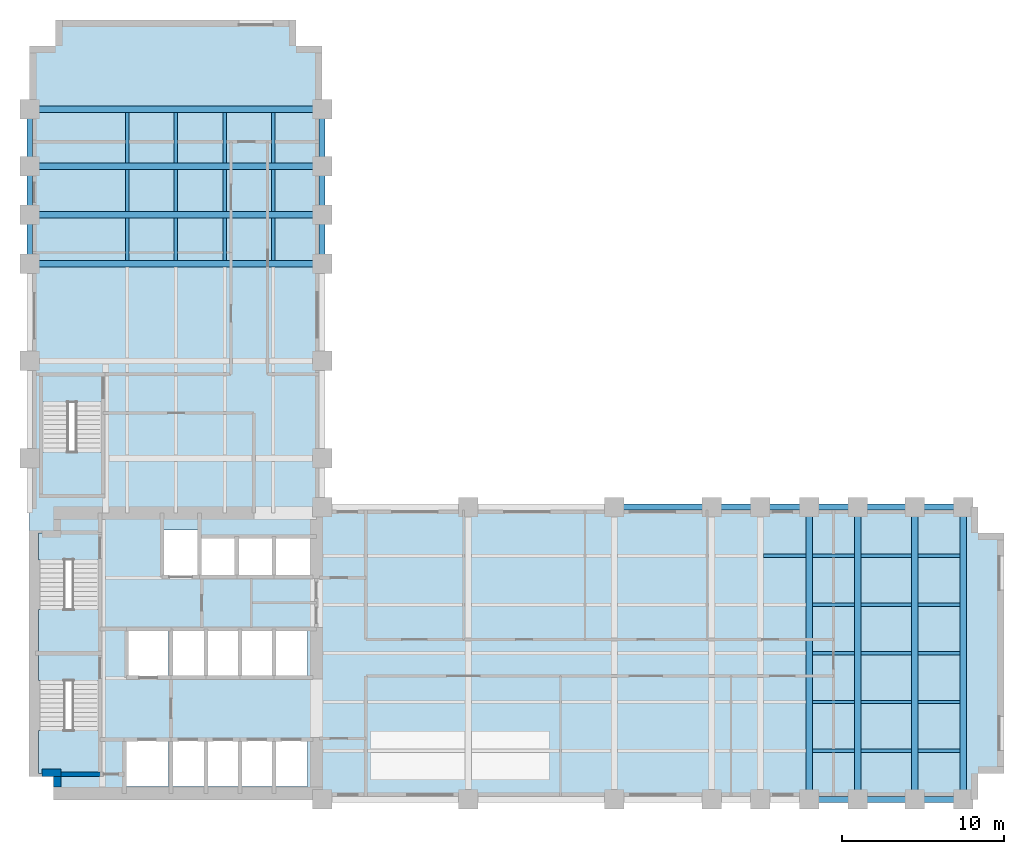
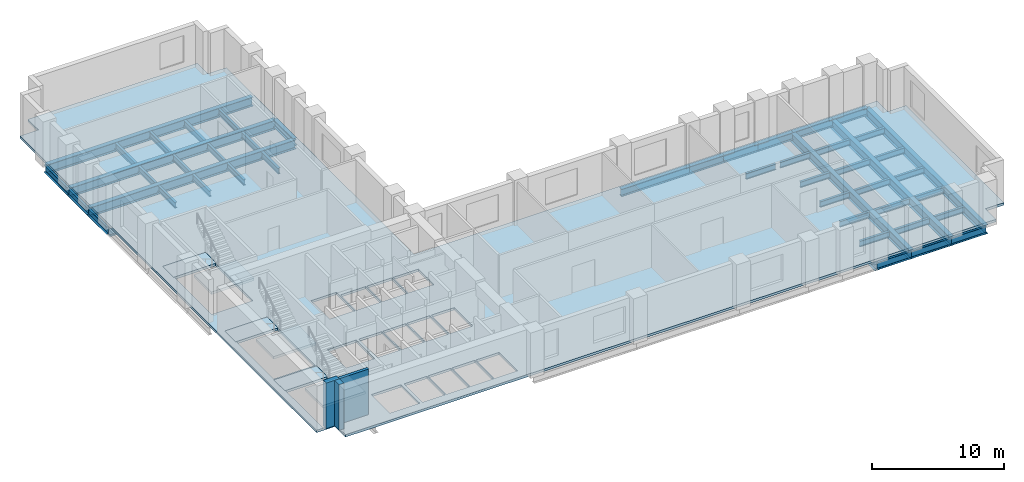
# One storey, part 2 of 7: 51 beams, 7 slabs, 3 walls, 3 elements without a shape of their own.
"""IFC4 building model written with IfcOpenShell, lengths in metres."""

from ifc_helpers import new_model, si_unit, direction, frame, frame_2d, origin, origin_2d, place, context, subcontext, project, spatial, polyline, rectangle, i_section, outline, extrude, material, layer, layer_set, material_profile, profile_set, type_object, element, aggregate, save


model = new_model("IFC4")

# Units and contexts
model_context = context("Model", 3, precision=1e-05, world=origin(), true_north=direction((0.0, 1.0)))
body_context = subcontext(model_context, "Body", "Model", "MODEL_VIEW")
ifc_project = project(units=[si_unit("LENGTHUNIT", "METRE"), si_unit("AREAUNIT", "SQUARE_METRE"), si_unit("VOLUMEUNIT", "CUBIC_METRE"), si_unit("PLANEANGLEUNIT", "RADIAN"), si_unit("MASSUNIT", "GRAM", prefix="KILO")], contexts=[model_context])

# Site, building, storey
site_placement = place(None, origin())
site = spatial("IfcSite", under=ifc_project, at=site_placement, CompositionType="ELEMENT")
building_placement = place(site_placement, origin())
building = spatial("IfcBuilding", under=site, at=building_placement, Name="Mawjdan Bourse Tower", CompositionType="ELEMENT")
storey_placement = place(building_placement, frame((0.0, 0.0, 59.39990234375)))
storey = spatial("IfcBuildingStorey", under=building, at=storey_placement, Name="L13", CompositionType="ELEMENT", Elevation=59.39990234375)

# Beams
ifc_material_1 = material(Name="Structural Steel S355", Category="steel")
ifc_material_profile_1 = material_profile(ifc_material_1, i_section(OverallWidth=0.39892578125, OverallDepth=0.85595703125, WebThickness=0.018310546875, FlangeThickness=0.029296875, FilletRadius=0.0234375, at=origin_2d()), Name="W33X201")
ifc_profile_set_1 = profile_set([ifc_material_profile_1], Name="Structural Steel S355")
beam_type_1 = type_object("IfcBeamType", Name="GRD-W33X201", PredefinedType="BEAM", material=ifc_profile_set_1)
for number, where, z_axis, x_axis, name in (
    (1, (54.0, 3.0, -0.64794921875), (0.0, 1.0, 0.0), (-1.0, 0.0, 0.0), "L13 East Wing Clear-Span Girder 006"),
    (2, (57.0, 3.0, -0.64794921875), (0.0, 1.0, 0.0), (-1.0, 0.0, 0.0), "L13 East Wing Clear-Span Girder 007"),
    (3, (60.5, 3.0, -0.64794921875), (0.0, 1.0, 0.0), (-1.0, 0.0, 0.0), "L13 East Wing Clear-Span Girder 008"),
    (4, (63.5, 3.0, -0.64794921875), (0.0, 1.0, 0.0), (-1.0, 0.0, 0.0), "L13 East Wing Clear-Span Girder 009"),
    (5, (6.0, 36.0, -0.64794921875), (1.0, 0.0, 0.0), (0.0, 1.0, 0.0), "L13 North Wing Clear-Span Girder 073"),
    (6, (6.0, 39.0, -0.64794921875), (1.0, 0.0, 0.0), (0.0, 1.0, 0.0), "L13 North Wing Clear-Span Girder 074"),
    (7, (6.0, 42.0, -0.64794921875), (1.0, 0.0, 0.0), (0.0, 1.0, 0.0), "L13 North Wing Clear-Span Girder 075"),
    (8, (6.0, 45.5, -0.64794921875), (1.0, 0.0, 0.0), (0.0, 1.0, 0.0), "L13 North Wing Clear-Span Girder 076"),
):
    element("IfcBeam", number, at=place(storey_placement, frame(where, z_axis=z_axis, x_axis=x_axis)), inside=storey, type_object=beam_type_1, Name=name, PredefinedType="BEAM", context=body_context, shape_type="SweptSolid", body=[
        extrude(i_section(OverallWidth=0.39892578125, OverallDepth=0.85595703125, WebThickness=0.018310546875, FlangeThickness=0.029296875, FilletRadius=0.0234375, at=origin_2d()), origin(), (0.0, 0.0, 1.0), 18.0),
    ])
ifc_material_profile_2 = material_profile(ifc_material_1, i_section(OverallWidth=0.2119140625, OverallDepth=0.5439453125, WebThickness=0.01318359375, FlangeThickness=0.021240234375, FilletRadius=0.01708984375, at=origin_2d()), Name="W21X83")
ifc_profile_set_2 = profile_set([ifc_material_profile_2], Name="Structural Steel S355")
beam_type_2 = type_object("IfcBeamType", Name="JST-W21X83", PredefinedType="JOIST", material=ifc_profile_set_2)
beam_1_placement = place(storey_placement, frame((54.197509765625, 6.0, -0.491943359375), z_axis=(1.0, 0.0, 0.0), x_axis=(0.0, 1.0, 0.0)))
element("IfcBeam", 9, at=beam_1_placement, inside=storey, type_object=beam_type_2, Name="L13 East Wing Composite Joist 031", PredefinedType="JOIST", context=body_context, shape_type="SweptSolid", body=[
    extrude(i_section(OverallWidth=0.2119140625, OverallDepth=0.5439453125, WebThickness=0.01318359375, FlangeThickness=0.021240234375, FilletRadius=0.01708984375, at=origin_2d()), origin(), (0.0, 0.0, 1.0), 2.60498046875),
])
beam_2_placement = place(storey_placement, frame((57.197509765625, 6.0, -0.491943359375), z_axis=(1.0, 0.0, 0.0), x_axis=(0.0, 1.0, 0.0)))
element("IfcBeam", 10, at=beam_2_placement, inside=storey, type_object=beam_type_2, Name="L13 East Wing Composite Joist 032", PredefinedType="JOIST", context=body_context, shape_type="SweptSolid", body=[
    extrude(i_section(OverallWidth=0.2119140625, OverallDepth=0.5439453125, WebThickness=0.01318359375, FlangeThickness=0.021240234375, FilletRadius=0.01708984375, at=origin_2d()), origin(), (0.0, 0.0, 1.0), 3.10498046875),
])
for number, where, z_axis, x_axis, name in (
    (11, (60.697509765625, 6.0, -0.491943359375), (1.0, 0.0, 0.0), (0.0, 1.0, 0.0), "L13 East Wing Composite Joist 033"),
    (12, (54.197509765625, 9.0, -0.491943359375), (1.0, 0.0, 0.0), (0.0, 1.0, 0.0), "L13 East Wing Composite Joist 039"),
):
    element("IfcBeam", number, at=place(storey_placement, frame(where, z_axis=z_axis, x_axis=x_axis)), inside=storey, type_object=beam_type_2, Name=name, PredefinedType="JOIST", context=body_context, shape_type="SweptSolid", body=[
        extrude(i_section(OverallWidth=0.2119140625, OverallDepth=0.5439453125, WebThickness=0.01318359375, FlangeThickness=0.021240234375, FilletRadius=0.01708984375, at=origin_2d()), origin(), (0.0, 0.0, 1.0), 2.60498046875),
    ])
beam_3_placement = place(storey_placement, frame((57.197509765625, 9.0, -0.491943359375), z_axis=(1.0, 0.0, 0.0), x_axis=(0.0, 1.0, 0.0)))
element("IfcBeam", 13, at=beam_3_placement, inside=storey, type_object=beam_type_2, Name="L13 East Wing Composite Joist 040", PredefinedType="JOIST", context=body_context, shape_type="SweptSolid", body=[
    extrude(i_section(OverallWidth=0.2119140625, OverallDepth=0.5439453125, WebThickness=0.01318359375, FlangeThickness=0.021240234375, FilletRadius=0.01708984375, at=origin_2d()), origin(), (0.0, 0.0, 1.0), 3.10498046875),
])
for number, where, z_axis, x_axis, name in (
    (14, (60.697509765625, 9.0, -0.491943359375), (1.0, 0.0, 0.0), (0.0, 1.0, 0.0), "L13 East Wing Composite Joist 041"),
    (15, (54.197509765625, 12.0, -0.491943359375), (1.0, 0.0, 0.0), (0.0, 1.0, 0.0), "L13 East Wing Composite Joist 047"),
):
    element("IfcBeam", number, at=place(storey_placement, frame(where, z_axis=z_axis, x_axis=x_axis)), inside=storey, type_object=beam_type_2, Name=name, PredefinedType="JOIST", context=body_context, shape_type="SweptSolid", body=[
        extrude(i_section(OverallWidth=0.2119140625, OverallDepth=0.5439453125, WebThickness=0.01318359375, FlangeThickness=0.021240234375, FilletRadius=0.01708984375, at=origin_2d()), origin(), (0.0, 0.0, 1.0), 2.60498046875),
    ])
beam_4_placement = place(storey_placement, frame((57.197509765625, 12.0, -0.491943359375), z_axis=(1.0, 0.0, 0.0), x_axis=(0.0, 1.0, 0.0)))
element("IfcBeam", 16, at=beam_4_placement, inside=storey, type_object=beam_type_2, Name="L13 East Wing Composite Joist 048", PredefinedType="JOIST", context=body_context, shape_type="SweptSolid", body=[
    extrude(i_section(OverallWidth=0.2119140625, OverallDepth=0.5439453125, WebThickness=0.01318359375, FlangeThickness=0.021240234375, FilletRadius=0.01708984375, at=origin_2d()), origin(), (0.0, 0.0, 1.0), 3.10498046875),
])
for number, where, z_axis, x_axis, name in (
    (17, (60.697509765625, 12.0, -0.491943359375), (1.0, 0.0, 0.0), (0.0, 1.0, 0.0), "L13 East Wing Composite Joist 049"),
    (18, (54.197509765625, 15.0, -0.491943359375), (1.0, 0.0, 0.0), (0.0, 1.0, 0.0), "L13 East Wing Composite Joist 055"),
):
    element("IfcBeam", number, at=place(storey_placement, frame(where, z_axis=z_axis, x_axis=x_axis)), inside=storey, type_object=beam_type_2, Name=name, PredefinedType="JOIST", context=body_context, shape_type="SweptSolid", body=[
        extrude(i_section(OverallWidth=0.2119140625, OverallDepth=0.5439453125, WebThickness=0.01318359375, FlangeThickness=0.021240234375, FilletRadius=0.01708984375, at=origin_2d()), origin(), (0.0, 0.0, 1.0), 2.60498046875),
    ])
beam_5_placement = place(storey_placement, frame((57.197509765625, 15.0, -0.491943359375), z_axis=(1.0, 0.0, 0.0), x_axis=(0.0, 1.0, 0.0)))
element("IfcBeam", 19, at=beam_5_placement, inside=storey, type_object=beam_type_2, Name="L13 East Wing Composite Joist 056", PredefinedType="JOIST", context=body_context, shape_type="SweptSolid", body=[
    extrude(i_section(OverallWidth=0.2119140625, OverallDepth=0.5439453125, WebThickness=0.01318359375, FlangeThickness=0.021240234375, FilletRadius=0.01708984375, at=origin_2d()), origin(), (0.0, 0.0, 1.0), 3.10498046875),
])
for number, where, z_axis, x_axis, name in (
    (20, (60.697509765625, 15.0, -0.491943359375), (1.0, 0.0, 0.0), (0.0, 1.0, 0.0), "L13 East Wing Composite Joist 057"),
    (21, (51.197509765625, 18.0, -0.491943359375), (1.0, 0.0, 0.0), (0.0, 1.0, 0.0), "L13 East Wing Composite Joist 062"),
    (22, (54.197509765625, 18.0, -0.491943359375), (1.0, 0.0, 0.0), (0.0, 1.0, 0.0), "L13 East Wing Composite Joist 063"),
):
    element("IfcBeam", number, at=place(storey_placement, frame(where, z_axis=z_axis, x_axis=x_axis)), inside=storey, type_object=beam_type_2, Name=name, PredefinedType="JOIST", context=body_context, shape_type="SweptSolid", body=[
        extrude(i_section(OverallWidth=0.2119140625, OverallDepth=0.5439453125, WebThickness=0.01318359375, FlangeThickness=0.021240234375, FilletRadius=0.01708984375, at=origin_2d()), origin(), (0.0, 0.0, 1.0), 2.60498046875),
    ])
beam_6_placement = place(storey_placement, frame((57.197509765625, 18.0, -0.491943359375), z_axis=(1.0, 0.0, 0.0), x_axis=(0.0, 1.0, 0.0)))
element("IfcBeam", 23, at=beam_6_placement, inside=storey, type_object=beam_type_2, Name="L13 East Wing Composite Joist 064", PredefinedType="JOIST", context=body_context, shape_type="SweptSolid", body=[
    extrude(i_section(OverallWidth=0.2119140625, OverallDepth=0.5439453125, WebThickness=0.01318359375, FlangeThickness=0.021240234375, FilletRadius=0.01708984375, at=origin_2d()), origin(), (0.0, 0.0, 1.0), 3.10498046875),
])
for number, where, z_axis, x_axis, name in (
    (24, (60.697509765625, 18.0, -0.491943359375), (1.0, 0.0, 0.0), (0.0, 1.0, 0.0), "L13 East Wing Composite Joist 065"),
    (25, (12.0, 36.197509765625, -0.491943359375), (0.0, 1.0, 0.0), (-1.0, 0.0, 0.0), "L13 North Wing Composite Joist 092"),
    (26, (12.0, 39.197509765625, -0.491943359375), (0.0, 1.0, 0.0), (-1.0, 0.0, 0.0), "L13 North Wing Composite Joist 093"),
):
    element("IfcBeam", number, at=place(storey_placement, frame(where, z_axis=z_axis, x_axis=x_axis)), inside=storey, type_object=beam_type_2, Name=name, PredefinedType="JOIST", context=body_context, shape_type="SweptSolid", body=[
        extrude(i_section(OverallWidth=0.2119140625, OverallDepth=0.5439453125, WebThickness=0.01318359375, FlangeThickness=0.021240234375, FilletRadius=0.01708984375, at=origin_2d()), origin(), (0.0, 0.0, 1.0), 2.60498046875),
    ])
beam_7_placement = place(storey_placement, frame((12.0, 42.197509765625, -0.491943359375), z_axis=(0.0, 1.0, 0.0), x_axis=(-1.0, 0.0, 0.0)))
element("IfcBeam", 27, at=beam_7_placement, inside=storey, type_object=beam_type_2, Name="L13 North Wing Composite Joist 094", PredefinedType="JOIST", context=body_context, shape_type="SweptSolid", body=[
    extrude(i_section(OverallWidth=0.2119140625, OverallDepth=0.5439453125, WebThickness=0.01318359375, FlangeThickness=0.021240234375, FilletRadius=0.01708984375, at=origin_2d()), origin(), (0.0, 0.0, 1.0), 3.10498046875),
])
for number, where, z_axis, x_axis, name in (
    (28, (15.0, 36.197509765625, -0.491943359375), (0.0, 1.0, 0.0), (-1.0, 0.0, 0.0), "L13 North Wing Composite Joist 098"),
    (29, (15.0, 39.197509765625, -0.491943359375), (0.0, 1.0, 0.0), (-1.0, 0.0, 0.0), "L13 North Wing Composite Joist 099"),
):
    element("IfcBeam", number, at=place(storey_placement, frame(where, z_axis=z_axis, x_axis=x_axis)), inside=storey, type_object=beam_type_2, Name=name, PredefinedType="JOIST", context=body_context, shape_type="SweptSolid", body=[
        extrude(i_section(OverallWidth=0.2119140625, OverallDepth=0.5439453125, WebThickness=0.01318359375, FlangeThickness=0.021240234375, FilletRadius=0.01708984375, at=origin_2d()), origin(), (0.0, 0.0, 1.0), 2.60498046875),
    ])
beam_8_placement = place(storey_placement, frame((15.0, 42.197509765625, -0.491943359375), z_axis=(0.0, 1.0, 0.0), x_axis=(-1.0, 0.0, 0.0)))
element("IfcBeam", 30, at=beam_8_placement, inside=storey, type_object=beam_type_2, Name="L13 North Wing Composite Joist 100", PredefinedType="JOIST", context=body_context, shape_type="SweptSolid", body=[
    extrude(i_section(OverallWidth=0.2119140625, OverallDepth=0.5439453125, WebThickness=0.01318359375, FlangeThickness=0.021240234375, FilletRadius=0.01708984375, at=origin_2d()), origin(), (0.0, 0.0, 1.0), 3.10498046875),
])
for number, where, z_axis, x_axis, name in (
    (31, (18.0, 36.197509765625, -0.491943359375), (0.0, 1.0, 0.0), (-1.0, 0.0, 0.0), "L13 North Wing Composite Joist 104"),
    (32, (18.0, 39.197509765625, -0.491943359375), (0.0, 1.0, 0.0), (-1.0, 0.0, 0.0), "L13 North Wing Composite Joist 105"),
):
    element("IfcBeam", number, at=place(storey_placement, frame(where, z_axis=z_axis, x_axis=x_axis)), inside=storey, type_object=beam_type_2, Name=name, PredefinedType="JOIST", context=body_context, shape_type="SweptSolid", body=[
        extrude(i_section(OverallWidth=0.2119140625, OverallDepth=0.5439453125, WebThickness=0.01318359375, FlangeThickness=0.021240234375, FilletRadius=0.01708984375, at=origin_2d()), origin(), (0.0, 0.0, 1.0), 2.60498046875),
    ])
beam_9_placement = place(storey_placement, frame((18.0, 42.197509765625, -0.491943359375), z_axis=(0.0, 1.0, 0.0), x_axis=(-1.0, 0.0, 0.0)))
element("IfcBeam", 33, at=beam_9_placement, inside=storey, type_object=beam_type_2, Name="L13 North Wing Composite Joist 106", PredefinedType="JOIST", context=body_context, shape_type="SweptSolid", body=[
    extrude(i_section(OverallWidth=0.2119140625, OverallDepth=0.5439453125, WebThickness=0.01318359375, FlangeThickness=0.021240234375, FilletRadius=0.01708984375, at=origin_2d()), origin(), (0.0, 0.0, 1.0), 3.10498046875),
])
for number, where, z_axis, x_axis, name in (
    (34, (21.0, 36.197509765625, -0.491943359375), (0.0, 1.0, 0.0), (-1.0, 0.0, 0.0), "L13 North Wing Composite Joist 110"),
    (35, (21.0, 39.197509765625, -0.491943359375), (0.0, 1.0, 0.0), (-1.0, 0.0, 0.0), "L13 North Wing Composite Joist 111"),
):
    element("IfcBeam", number, at=place(storey_placement, frame(where, z_axis=z_axis, x_axis=x_axis)), inside=storey, type_object=beam_type_2, Name=name, PredefinedType="JOIST", context=body_context, shape_type="SweptSolid", body=[
        extrude(i_section(OverallWidth=0.2119140625, OverallDepth=0.5439453125, WebThickness=0.01318359375, FlangeThickness=0.021240234375, FilletRadius=0.01708984375, at=origin_2d()), origin(), (0.0, 0.0, 1.0), 2.60498046875),
    ])
beam_10_placement = place(storey_placement, frame((21.0, 42.197509765625, -0.491943359375), z_axis=(0.0, 1.0, 0.0), x_axis=(-1.0, 0.0, 0.0)))
element("IfcBeam", 36, at=beam_10_placement, inside=storey, type_object=beam_type_2, Name="L13 North Wing Composite Joist 112", PredefinedType="JOIST", context=body_context, shape_type="SweptSolid", body=[
    extrude(i_section(OverallWidth=0.2119140625, OverallDepth=0.5439453125, WebThickness=0.01318359375, FlangeThickness=0.021240234375, FilletRadius=0.01708984375, at=origin_2d()), origin(), (0.0, 0.0, 1.0), 3.10498046875),
])
ifc_material_profile_3 = material_profile(ifc_material_1, i_section(OverallWidth=0.35498046875, OverallDepth=0.696044921875, WebThickness=0.015380859375, FlangeThickness=0.02490234375, FilletRadius=0.019775390625, at=origin_2d()), Name="W27X146")
ifc_profile_set_3 = profile_set([ifc_material_profile_3], Name="Structural Steel S355")
beam_type_3 = type_object("IfcBeamType", Name="SPN-W27X146", PredefinedType="SPANDREL", material=ifc_profile_set_3)
beam_11_placement = place(storey_placement, frame((54.0, 3.0, -0.56787109375), z_axis=(1.0, 0.0, 0.0), x_axis=(0.0, 1.0, 0.0)))
element("IfcBeam", 37, at=beam_11_placement, inside=storey, type_object=beam_type_3, Name="L13 Perimeter Masonry-Shelf Spandrel 015", PredefinedType="SPANDREL", context=body_context, shape_type="SweptSolid", body=[
    extrude(i_section(OverallWidth=0.35498046875, OverallDepth=0.696044921875, WebThickness=0.015380859375, FlangeThickness=0.02490234375, FilletRadius=0.019775390625, at=origin_2d()), origin(), (0.0, 0.0, 1.0), 3.0),
])
beam_12_placement = place(storey_placement, frame((57.0, 3.0, -0.56787109375), z_axis=(1.0, 0.0, 0.0), x_axis=(0.0, 1.0, 0.0)))
element("IfcBeam", 38, at=beam_12_placement, inside=storey, type_object=beam_type_3, Name="L13 Perimeter Masonry-Shelf Spandrel 016", PredefinedType="SPANDREL", context=body_context, shape_type="SweptSolid", body=[
    extrude(i_section(OverallWidth=0.35498046875, OverallDepth=0.696044921875, WebThickness=0.015380859375, FlangeThickness=0.02490234375, FilletRadius=0.019775390625, at=origin_2d()), origin(), (0.0, 0.0, 1.0), 3.5),
])
beam_13_placement = place(storey_placement, frame((60.5, 3.0, -0.56787109375), z_axis=(1.0, 0.0, 0.0), x_axis=(0.0, 1.0, 0.0)))
element("IfcBeam", 39, at=beam_13_placement, inside=storey, type_object=beam_type_3, Name="L13 Perimeter Masonry-Shelf Spandrel 017", PredefinedType="SPANDREL", context=body_context, shape_type="SweptSolid", body=[
    extrude(i_section(OverallWidth=0.35498046875, OverallDepth=0.696044921875, WebThickness=0.015380859375, FlangeThickness=0.02490234375, FilletRadius=0.019775390625, at=origin_2d()), origin(), (0.0, 0.0, 1.0), 3.0),
])
beam_14_placement = place(storey_placement, frame((42.0, 21.0, -0.56787109375), z_axis=(1.0, 0.0, 0.0), x_axis=(0.0, 1.0, 0.0)))
element("IfcBeam", 40, at=beam_14_placement, inside=storey, type_object=beam_type_3, Name="L13 Perimeter Masonry-Shelf Spandrel 020", PredefinedType="SPANDREL", context=body_context, shape_type="SweptSolid", body=[
    extrude(i_section(OverallWidth=0.35498046875, OverallDepth=0.696044921875, WebThickness=0.015380859375, FlangeThickness=0.02490234375, FilletRadius=0.019775390625, at=origin_2d()), origin(), (0.0, 0.0, 1.0), 6.0),
])
for number, where, z_axis, x_axis, name in (
    (41, (48.0, 21.0, -0.56787109375), (1.0, 0.0, 0.0), (0.0, 1.0, 0.0), "L13 Perimeter Masonry-Shelf Spandrel 021"),
    (42, (51.0, 21.0, -0.56787109375), (1.0, 0.0, 0.0), (0.0, 1.0, 0.0), "L13 Perimeter Masonry-Shelf Spandrel 022"),
    (43, (54.0, 21.0, -0.56787109375), (1.0, 0.0, 0.0), (0.0, 1.0, 0.0), "L13 Perimeter Masonry-Shelf Spandrel 023"),
):
    element("IfcBeam", number, at=place(storey_placement, frame(where, z_axis=z_axis, x_axis=x_axis)), inside=storey, type_object=beam_type_3, Name=name, PredefinedType="SPANDREL", context=body_context, shape_type="SweptSolid", body=[
        extrude(i_section(OverallWidth=0.35498046875, OverallDepth=0.696044921875, WebThickness=0.015380859375, FlangeThickness=0.02490234375, FilletRadius=0.019775390625, at=origin_2d()), origin(), (0.0, 0.0, 1.0), 3.0),
    ])
beam_15_placement = place(storey_placement, frame((57.0, 21.0, -0.56787109375), z_axis=(1.0, 0.0, 0.0), x_axis=(0.0, 1.0, 0.0)))
element("IfcBeam", 44, at=beam_15_placement, inside=storey, type_object=beam_type_3, Name="L13 Perimeter Masonry-Shelf Spandrel 024", PredefinedType="SPANDREL", context=body_context, shape_type="SweptSolid", body=[
    extrude(i_section(OverallWidth=0.35498046875, OverallDepth=0.696044921875, WebThickness=0.015380859375, FlangeThickness=0.02490234375, FilletRadius=0.019775390625, at=origin_2d()), origin(), (0.0, 0.0, 1.0), 3.5),
])
for number, where, z_axis, x_axis, name in (
    (45, (60.5, 21.0, -0.56787109375), (1.0, 0.0, 0.0), (0.0, 1.0, 0.0), "L13 Perimeter Masonry-Shelf Spandrel 025"),
    (46, (6.0, 36.0, -0.56787109375), (0.0, 1.0, 0.0), (-1.0, 0.0, 0.0), "L13 North Wing Spandrel 080"),
    (47, (6.0, 39.0, -0.56787109375), (0.0, 1.0, 0.0), (-1.0, 0.0, 0.0), "L13 North Wing Spandrel 081"),
):
    element("IfcBeam", number, at=place(storey_placement, frame(where, z_axis=z_axis, x_axis=x_axis)), inside=storey, type_object=beam_type_3, Name=name, PredefinedType="SPANDREL", context=body_context, shape_type="SweptSolid", body=[
        extrude(i_section(OverallWidth=0.35498046875, OverallDepth=0.696044921875, WebThickness=0.015380859375, FlangeThickness=0.02490234375, FilletRadius=0.019775390625, at=origin_2d()), origin(), (0.0, 0.0, 1.0), 3.0),
    ])
beam_16_placement = place(storey_placement, frame((6.0, 42.0, -0.56787109375), z_axis=(0.0, 1.0, 0.0), x_axis=(-1.0, 0.0, 0.0)))
element("IfcBeam", 48, at=beam_16_placement, inside=storey, type_object=beam_type_3, Name="L13 North Wing Spandrel 082", PredefinedType="SPANDREL", context=body_context, shape_type="SweptSolid", body=[
    extrude(i_section(OverallWidth=0.35498046875, OverallDepth=0.696044921875, WebThickness=0.015380859375, FlangeThickness=0.02490234375, FilletRadius=0.019775390625, at=origin_2d()), origin(), (0.0, 0.0, 1.0), 3.5),
])
for number, where, z_axis, x_axis, name in (
    (49, (24.0, 36.0, -0.56787109375), (0.0, 1.0, 0.0), (-1.0, 0.0, 0.0), "L13 North Wing Spandrel 086"),
    (50, (24.0, 39.0, -0.56787109375), (0.0, 1.0, 0.0), (-1.0, 0.0, 0.0), "L13 North Wing Spandrel 087"),
):
    element("IfcBeam", number, at=place(storey_placement, frame(where, z_axis=z_axis, x_axis=x_axis)), inside=storey, type_object=beam_type_3, Name=name, PredefinedType="SPANDREL", context=body_context, shape_type="SweptSolid", body=[
        extrude(i_section(OverallWidth=0.35498046875, OverallDepth=0.696044921875, WebThickness=0.015380859375, FlangeThickness=0.02490234375, FilletRadius=0.019775390625, at=origin_2d()), origin(), (0.0, 0.0, 1.0), 3.0),
    ])
beam_17_placement = place(storey_placement, frame((24.0, 42.0, -0.56787109375), z_axis=(0.0, 1.0, 0.0), x_axis=(-1.0, 0.0, 0.0)))
element("IfcBeam", 51, at=beam_17_placement, inside=storey, type_object=beam_type_3, Name="L13 North Wing Spandrel 088", PredefinedType="SPANDREL", context=body_context, shape_type="SweptSolid", body=[
    extrude(i_section(OverallWidth=0.35498046875, OverallDepth=0.696044921875, WebThickness=0.015380859375, FlangeThickness=0.02490234375, FilletRadius=0.019775390625, at=origin_2d()), origin(), (0.0, 0.0, 1.0), 3.5),
])

# Stair, slabs
ifc_material_2 = material(Name="Concrete C50/60", Category="concrete")
stair_type = type_object("IfcStairType", Name="STR-CORE-1500", PredefinedType="HALF_TURN_STAIR", material=ifc_material_2)
stair_1_placement = place(storey_placement, origin())
stair_1 = element("IfcStair", 52, at=stair_1_placement, inside=storey, type_object=stair_type, Name="L13 Exit Stair 1 (Core South-West)", PredefinedType="HALF_TURN_STAIR")
ifc_layer_1 = layer(ifc_material_2, 0.22998046875)
ifc_layer_set_1 = layer_set([ifc_layer_1], Name="Concrete C50/60")
slab_type_1 = type_object("IfcSlabType", Name="SL-LND-230", PredefinedType="LANDING", material=ifc_layer_set_1)
slab_1_placement = place(storey_placement, frame((0.0, 0.0, -0.22998046875)))
slab_1 = element("IfcSlab", 53, at=slab_1_placement, type_object=slab_type_1, Name="ST1-L13 landing 1", PredefinedType="LANDING", context=body_context, shape_type="SweptSolid", body=[
    extrude(outline(polyline([(6.5400390625, 10.31005859375), (10.260009765625, 10.31005859375), (10.260009765625, 11.969970703125), (6.5400390625, 11.969970703125), (6.5400390625, 10.31005859375)])), origin(), (0.0, 0.0, 1.0), 0.22998046875),
])
slab_2_placement = place(storey_placement, frame((0.0, 0.0, 1.8701171875)))
slab_2 = element("IfcSlab", 54, at=slab_2_placement, type_object=slab_type_1, Name="ST1-L13 landing 2", PredefinedType="LANDING", context=body_context, shape_type="SweptSolid", body=[
    extrude(outline(polyline([(6.5400390625, 4.590087890625), (10.260009765625, 4.590087890625), (10.260009765625, 7.2548828125), (6.5400390625, 7.2548828125), (6.5400390625, 4.590087890625)])), origin(), (0.0, 0.0, 1.0), 0.22998046875),
])
aggregate(stair_1, [slab_1, slab_2])

stair_2_placement = place(storey_placement, origin())
stair_2 = element("IfcStair", 55, at=stair_2_placement, inside=storey, type_object=stair_type, Name="L13 Exit Stair 2 (Core North-West)", PredefinedType="HALF_TURN_STAIR")
slab_3_placement = place(storey_placement, frame((0.0, 0.0, -0.22998046875)))
slab_3 = element("IfcSlab", 56, at=slab_3_placement, type_object=slab_type_1, Name="ST2-L13 landing 1", PredefinedType="LANDING", context=body_context, shape_type="SweptSolid", body=[
    extrude(outline(polyline([(6.5400390625, 17.75), (10.260009765625, 17.75), (10.260009765625, 19.409912109375), (6.5400390625, 19.409912109375), (6.5400390625, 17.75)])), origin(), (0.0, 0.0, 1.0), 0.22998046875),
])
slab_4_placement = place(storey_placement, frame((0.0, 0.0, 1.8701171875)))
slab_4 = element("IfcSlab", 57, at=slab_4_placement, type_object=slab_type_1, Name="ST2-L13 landing 2", PredefinedType="LANDING", context=body_context, shape_type="SweptSolid", body=[
    extrude(outline(polyline([(6.5400390625, 12.030029296875), (10.260009765625, 12.030029296875), (10.260009765625, 14.695068359375), (6.5400390625, 14.695068359375), (6.5400390625, 12.030029296875)])), origin(), (0.0, 0.0, 1.0), 0.22998046875),
])
aggregate(stair_2, [slab_3, slab_4])

stair_3_placement = place(storey_placement, origin())
stair_3 = element("IfcStair", 58, at=stair_3_placement, inside=storey, type_object=stair_type, Name="L13 Exit Stair 3 (North Wing)", PredefinedType="HALF_TURN_STAIR")
slab_5_placement = place(storey_placement, frame((0.0, 0.0, -0.22998046875)))
slab_5 = element("IfcSlab", 59, at=slab_5_placement, type_object=slab_type_1, Name="ST3-L13 landing 1", PredefinedType="LANDING", context=body_context, shape_type="SweptSolid", body=[
    extrude(outline(polyline([(6.739990234375, 27.4599609375), (10.4599609375, 27.4599609375), (10.4599609375, 29.1201171875), (6.739990234375, 29.1201171875), (6.739990234375, 27.4599609375)])), origin(), (0.0, 0.0, 1.0), 0.22998046875),
])
slab_6_placement = place(storey_placement, frame((0.0, 0.0, 1.8701171875)))
slab_6 = element("IfcSlab", 60, at=slab_6_placement, type_object=slab_type_1, Name="ST3-L13 landing 2", PredefinedType="LANDING", context=body_context, shape_type="SweptSolid", body=[
    extrude(outline(polyline([(6.739990234375, 21.739990234375), (10.4599609375, 21.739990234375), (10.4599609375, 24.405029296875), (6.739990234375, 24.405029296875), (6.739990234375, 21.739990234375)])), origin(), (0.0, 0.0, 1.0), 0.22998046875),
])
aggregate(stair_3, [slab_5, slab_6])

# Slab
ifc_layer_2 = layer(ifc_material_2, 0.219970703125)
ifc_layer_set_2 = layer_set([ifc_layer_2], Name="Concrete C50/60")
slab_type_2 = type_object("IfcSlabType", Name="SL-TRD-220", PredefinedType="FLOOR", material=ifc_layer_set_2)
slab_7_placement = place(storey_placement, frame((0.0, 0.0, -0.219970703125)))
element("IfcSlab", 61, at=slab_7_placement, inside=storey, type_object=slab_type_2, Name="L13 Structural Floor Slab 1", PredefinedType="FLOOR", context=body_context, shape_type="SweptSolid", body=[
    extrude(outline(polyline([(7.60009765625, 3.0), (64.39990234375, 3.0), (64.39990234375, 4.60009765625), (66.0, 4.60009765625), (66.0, 19.39990234375), (64.39990234375, 19.39990234375), (64.39990234375, 21.0), (24.0, 21.0), (24.0, 49.39990234375), (22.39990234375, 49.39990234375), (22.39990234375, 51.0), (7.60009765625, 51.0), (7.60009765625, 49.39990234375), (6.0, 49.39990234375), (6.0, 4.60009765625), (7.60009765625, 4.60009765625), (7.60009765625, 3.0)]), holes=[polyline([(11.949951171875, 3.800048828125), (11.949951171875, 6.60009765625), (14.550048828125, 6.60009765625), (14.550048828125, 3.800048828125), (11.949951171875, 3.800048828125)]), polyline([(14.800048828125, 3.800048828125), (14.800048828125, 6.60009765625), (16.800048828125, 6.60009765625), (16.800048828125, 3.800048828125), (14.800048828125, 3.800048828125)]), polyline([(10.260009765625, 11.969970703125), (10.260009765625, 10.31005859375), (10.199951171875, 10.31005859375), (10.199951171875, 4.64990234375), (6.60009765625, 4.64990234375), (6.60009765625, 10.31005859375), (6.5400390625, 10.31005859375), (6.5400390625, 11.969970703125), (10.260009765625, 11.969970703125)]), polyline([(12.050048828125, 13.39990234375), (14.550048828125, 13.39990234375), (14.550048828125, 10.60009765625), (12.050048828125, 10.60009765625), (12.050048828125, 13.39990234375)]), polyline([(6.60009765625, 17.75), (6.5400390625, 17.75), (6.5400390625, 19.409912109375), (10.260009765625, 19.409912109375), (10.260009765625, 17.75), (10.199951171875, 17.75), (10.199951171875, 12.090087890625), (6.60009765625, 12.090087890625), (6.60009765625, 17.75)]), polyline([(14.199951171875, 16.800048828125), (14.199951171875, 19.60009765625), (16.39990234375, 19.60009765625), (16.39990234375, 16.800048828125), (14.199951171875, 16.800048828125)]), polyline([(10.4599609375, 27.4599609375), (10.39990234375, 27.4599609375), (10.39990234375, 21.800048828125), (6.800048828125, 21.800048828125), (6.800048828125, 27.4599609375), (6.739990234375, 27.4599609375), (6.739990234375, 29.1201171875), (10.4599609375, 29.1201171875), (10.4599609375, 27.4599609375)]), polyline([(16.89990234375, 3.800048828125), (16.89990234375, 6.60009765625), (18.89990234375, 6.60009765625), (18.89990234375, 3.800048828125), (16.89990234375, 3.800048828125)]), polyline([(19.0, 3.800048828125), (19.0, 6.60009765625), (21.0, 6.60009765625), (21.0, 3.800048828125), (19.0, 3.800048828125)]), polyline([(21.10009765625, 3.800048828125), (21.10009765625, 6.60009765625), (23.10009765625, 6.60009765625), (23.10009765625, 3.800048828125), (21.10009765625, 3.800048828125)]), polyline([(14.800048828125, 13.39990234375), (16.800048828125, 13.39990234375), (16.800048828125, 10.60009765625), (14.800048828125, 10.60009765625), (14.800048828125, 13.39990234375)]), polyline([(16.89990234375, 13.39990234375), (18.89990234375, 13.39990234375), (18.89990234375, 10.60009765625), (16.89990234375, 10.60009765625), (16.89990234375, 13.39990234375)]), polyline([(19.0, 10.60009765625), (19.0, 13.39990234375), (21.0, 13.39990234375), (21.0, 10.60009765625), (19.0, 10.60009765625)]), polyline([(21.10009765625, 10.60009765625), (21.10009765625, 13.39990234375), (23.10009765625, 13.39990234375), (23.10009765625, 10.60009765625), (21.10009765625, 10.60009765625)]), polyline([(16.5, 16.800048828125), (16.5, 19.14990234375), (18.699951171875, 19.14990234375), (18.699951171875, 16.800048828125), (16.5, 16.800048828125)]), polyline([(18.800048828125, 19.14990234375), (21.0, 19.14990234375), (21.0, 16.800048828125), (18.800048828125, 16.800048828125), (18.800048828125, 19.14990234375)]), polyline([(21.10009765625, 19.14990234375), (23.300048828125, 19.14990234375), (23.300048828125, 16.800048828125), (21.10009765625, 16.800048828125), (21.10009765625, 19.14990234375)])]), origin(), (0.0, 0.0, 1.0), 0.219970703125),
])

# Walls
ifc_material_3 = material(Name="Concrete C60/75", Category="concrete")
ifc_layer_3 = layer(ifc_material_3, 0.449951171875)
ifc_layer_set_3 = layer_set([ifc_layer_3], Name="Concrete C60/75")
wall_type_1 = type_object("IfcWallType", Name="WL-CORE-450", PredefinedType="SHEAR", material=ifc_layer_set_3)
wall_1_placement = place(storey_placement, frame((6.75, 4.64990234375, 0.0), z_axis=(0.0, 0.0, 1.0), x_axis=(1.0, 0.0, 0.0)))
element("IfcWall", 62, at=wall_1_placement, inside=storey, type_object=wall_type_1, Name="L13 Rear Core Shear Wall SW-X", PredefinedType="SHEAR", context=body_context, shape_type="SweptSolid", body=[
    extrude(rectangle(XDim=1.175048828125, YDim=0.449951171875, at=frame_2d((0.58740234375, 0.0))), origin(), (0.0, 0.0, 1.0), 4.2001953125),
])
wall_2_placement = place(storey_placement, frame((7.699951171875, 3.75, 0.0), z_axis=(0.0, 0.0, 1.0), x_axis=(0.0, 1.0, 0.0)))
element("IfcWall", 63, at=wall_2_placement, inside=storey, type_object=wall_type_1, Name="L13 Rear Core Shear Wall SW-Y", PredefinedType="SHEAR", context=body_context, shape_type="SweptSolid", body=[
    extrude(rectangle(XDim=0.675048828125, YDim=0.449951171875, at=frame_2d((0.33740234375, 0.0))), origin(), (0.0, 0.0, 1.0), 4.2001953125),
])
ifc_layer_4 = layer(ifc_material_2, 0.25)
ifc_layer_set_4 = layer_set([ifc_layer_4], Name="Concrete C50/60")
wall_type_2 = type_object("IfcWallType", Name="WL-STRW-250", PredefinedType="SHEAR", material=ifc_layer_set_4)
wall_3_placement = place(storey_placement, frame((7.699951171875, 4.550048828125, 0.0), z_axis=(0.0, 0.0, 1.0), x_axis=(1.0, 0.0, 0.0)))
element("IfcWall", 64, at=wall_3_placement, inside=storey, type_object=wall_type_2, Name="L13 Stairwell ST1 South Shaft Wall", PredefinedType="SHEAR", context=body_context, shape_type="SweptSolid", body=[
    extrude(rectangle(XDim=2.755126953125, YDim=0.25, at=frame_2d((1.37744140625, 0.0))), origin(), (0.0, 0.0, 1.0), 4.2001953125),
])

save(model, "model.ifc")
